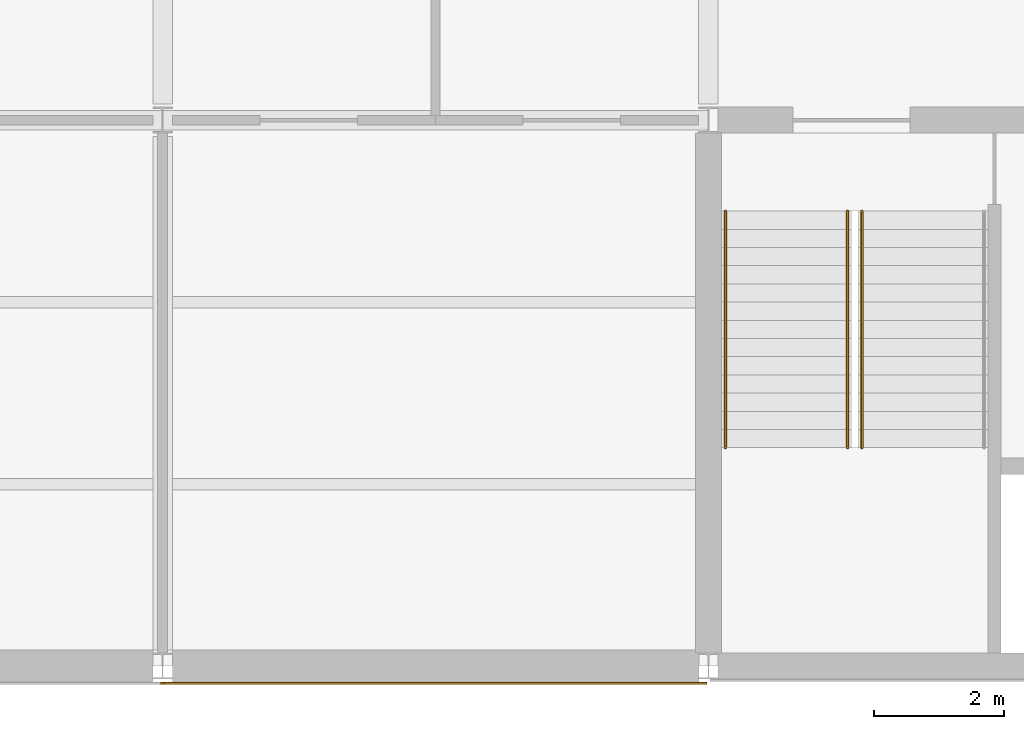
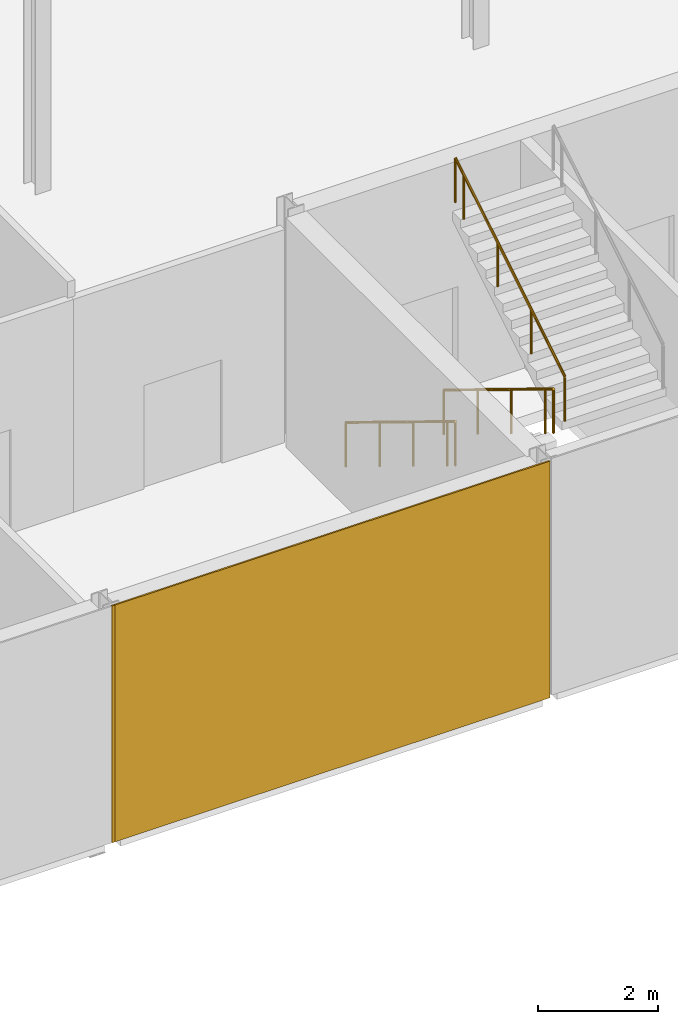
# One storey, part 45 of 52: 3 railings, 2 coverings.
"""IFC4 building model written with IfcOpenShell, lengths in metres."""

from ifc_helpers import new_model, si_unit, direction, frame, origin, origin_2d, place, context, subcontext, project, spatial, rectangle, circle, extrude, material, layer, layer_set, type_object, element, save


model = new_model("IFC4")

# Units and contexts
model_context = context("Model", 3, precision=1e-05, world=origin(), true_north=direction((0.0, 1.0)))
body_context = subcontext(model_context, "Body", "Model", "MODEL_VIEW")
ifc_project = project(units=[si_unit("LENGTHUNIT", "METRE"), si_unit("AREAUNIT", "SQUARE_METRE"), si_unit("VOLUMEUNIT", "CUBIC_METRE"), si_unit("PLANEANGLEUNIT", "RADIAN"), si_unit("MASSUNIT", "GRAM", prefix="KILO")], contexts=[model_context])

# Site, building, storey
site_placement = place(None, origin())
site = spatial("IfcSite", under=ifc_project, at=site_placement, CompositionType="ELEMENT")
building_placement = place(site_placement, origin())
building = spatial("IfcBuilding", under=site, at=building_placement, Name="Galleria Vessillo Department Store", CompositionType="ELEMENT")
storey_placement = place(building_placement, frame((0.0, 0.0, 16.199951171875)))
storey = spatial("IfcBuildingStorey", under=building, at=storey_placement, Name="L03", CompositionType="ELEMENT", Elevation=16.199951171875)

# Coverings
ifc_material_1 = material(Name="Lime plaster (intonaco) ochre")
ifc_layer = layer(ifc_material_1, 0.030029296875)
ifc_layer_set = layer_set([ifc_layer], Name="Lime plaster (intonaco) ochre")
covering_type = type_object("IfcCoveringType", Name="Lime plaster render 30 mm", PredefinedType="CLADDING", material=ifc_layer_set)
covering_1_placement = place(storey_placement, frame((71.39990234375, -0.264892578125, 0.0), z_axis=(0.0, 0.0, 1.0), x_axis=(1.0, 0.0, 0.0)))
element("IfcCovering", 1, at=covering_1_placement, inside=storey, type_object=covering_type, Name="Wall cladding S-PS-L03-06", PredefinedType="CLADDING", context=body_context, shape_type="SweptSolid", body=[
    extrude(rectangle(XDim=8.34033203125, YDim=0.030029296875, at=origin_2d()), origin(), (0.0, 0.0, 1.0), 4.800048828125),
])
covering_2_placement = place(storey_placement, frame((67.199951171875, -0.264892578125, 0.0), z_axis=(0.0, 0.0, 1.0), x_axis=(1.0, 0.0, 0.0)))
element("IfcCovering", 2, at=covering_2_placement, inside=storey, type_object=covering_type, Name="Joint block Wall cladding S-PS-L03-05", PredefinedType="CLADDING", context=body_context, shape_type="SweptSolid", body=[
    extrude(rectangle(XDim=0.059814453125, YDim=0.030029296875, at=origin_2d()), origin(), (0.0, 0.0, 1.0), 4.800048828125),
])

# Railings
ifc_material_2 = material(Name="Stainless steel tube", Category="steel")
railing_type = type_object("IfcRailingType", Name="Stair handrail steel tube 48 mm", PredefinedType="HANDRAIL", material=ifc_material_2)
for number, where, name in (
    (3, (77.739990234375, 7.0, 0.17138671875), "Handrail ST5 L03 flight 1A"),
    (4, (75.860107421875, 7.0, 0.17138671875), "Handrail ST5 L03 flight 1B"),
):
    element("IfcRailing", number, at=place(storey_placement, frame(where)), inside=storey, type_object=railing_type, Name=name, PredefinedType="HANDRAIL", context=body_context, shape_type="SweptSolid", body=[
        extrude(circle(Radius=0.02392578125, at=origin_2d()), frame((0.0, 0.0, 0.89599609375), z_axis=(0.0, -0.852849614702, 0.52215661894), x_axis=(1.0, 0.0, 0.0)), (0.0, 0.0, 1.0), 1.3134765625),
        extrude(circle(Radius=0.02392578125, at=origin_2d()), frame((0.0, -1.1201171875, 1.58154296875), z_axis=(0.0, -0.852798921012, 0.522239409008), x_axis=(1.0, 0.0, 0.0)), (0.0, 0.0, 1.0), 1.313232421875),
        extrude(circle(Radius=0.02392578125, at=origin_2d()), frame((0.0, -2.239990234375, 2.267578125), z_axis=(0.0, -0.852932391421, 0.522021393877), x_axis=(1.0, 0.0, 0.0)), (0.0, 0.0, 1.0), 1.313232421875),
        extrude(circle(Radius=0.02392578125, at=origin_2d()), frame((0.0, -3.360107421875, 2.953125), z_axis=(0.0, -0.852729557261, 0.522352660731), x_axis=(1.0, 0.0, 0.0)), (0.0, 0.0, 1.0), 0.328125),
        extrude(circle(Radius=0.02099609375, at=origin_2d()), origin(), (0.0, 0.0, 1.0), 0.871826171875),
        extrude(circle(Radius=0.02099609375, at=origin_2d()), frame((0.0, -1.1201171875, 0.685791015625)), (0.0, 0.0, 1.0), 0.871826171875),
        extrude(circle(Radius=0.02099609375, at=origin_2d()), frame((0.0, -2.239990234375, 1.37158203125)), (0.0, 0.0, 1.0), 0.871826171875),
        extrude(circle(Radius=0.02099609375, at=origin_2d()), frame((0.0, -3.360107421875, 2.05712890625)), (0.0, 0.0, 1.0), 0.871826171875),
        extrude(circle(Radius=0.02099609375, at=origin_2d()), frame((0.0, -3.639892578125, 2.228515625)), (0.0, 0.0, 1.0), 0.871826171875),
    ])
railing_placement = place(storey_placement, frame((77.9599609375, 3.360107421875, 2.571533203125)))
element("IfcRailing", 5, at=railing_placement, inside=storey, type_object=railing_type, Name="Handrail ST5 L03 flight 2A", PredefinedType="HANDRAIL", context=body_context, shape_type="SweptSolid", body=[
    extrude(circle(Radius=0.02392578125, at=origin_2d()), frame((0.0, 0.0, 0.89599609375), z_axis=(0.0, 0.852849614702, 0.52215661894), x_axis=(-1.0, 0.0, 0.0)), (0.0, 0.0, 1.0), 1.3134765625),
    extrude(circle(Radius=0.02392578125, at=origin_2d()), frame((0.0, 1.1201171875, 1.58154296875), z_axis=(0.0, 0.852798921012, 0.522239409008), x_axis=(-1.0, 0.0, 0.0)), (0.0, 0.0, 1.0), 1.313232421875),
    extrude(circle(Radius=0.02392578125, at=origin_2d()), frame((0.0, 2.239990234375, 2.267578125), z_axis=(0.0, 0.852932391421, 0.522021393877), x_axis=(-1.0, 0.0, 0.0)), (0.0, 0.0, 1.0), 1.313232421875),
    extrude(circle(Radius=0.02392578125, at=origin_2d()), frame((0.0, 3.360107421875, 2.953125), z_axis=(0.0, 0.852729557261, 0.522352660731), x_axis=(-1.0, 0.0, 0.0)), (0.0, 0.0, 1.0), 0.328125),
    extrude(circle(Radius=0.02099609375, at=origin_2d()), origin(), (0.0, 0.0, 1.0), 0.871826171875),
    extrude(circle(Radius=0.02099609375, at=origin_2d()), frame((0.0, 1.1201171875, 0.685791015625)), (0.0, 0.0, 1.0), 0.871826171875),
    extrude(circle(Radius=0.02099609375, at=origin_2d()), frame((0.0, 2.239990234375, 1.37158203125)), (0.0, 0.0, 1.0), 0.871826171875),
    extrude(circle(Radius=0.02099609375, at=origin_2d()), frame((0.0, 3.360107421875, 2.05712890625)), (0.0, 0.0, 1.0), 0.871826171875),
    extrude(circle(Radius=0.02099609375, at=origin_2d()), frame((0.0, 3.639892578125, 2.228515625)), (0.0, 0.0, 1.0), 0.871826171875),
])

save(model, "model.ifc")
